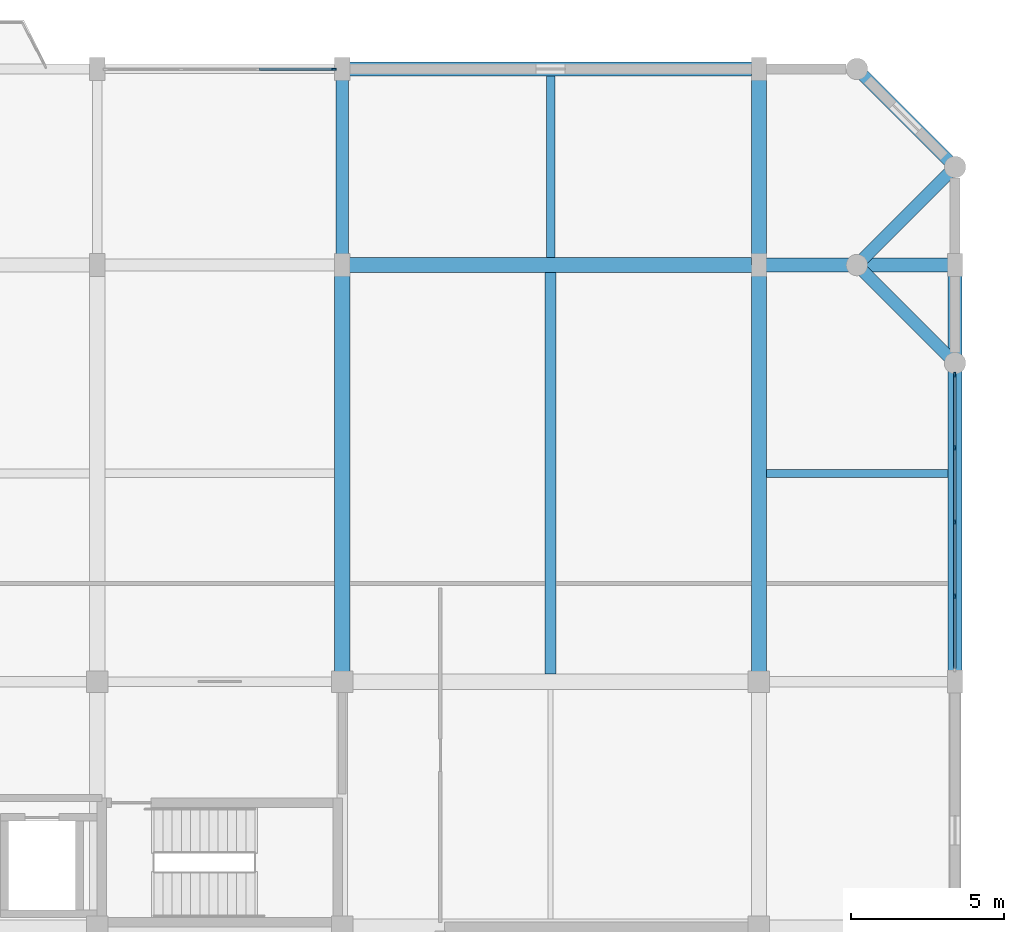
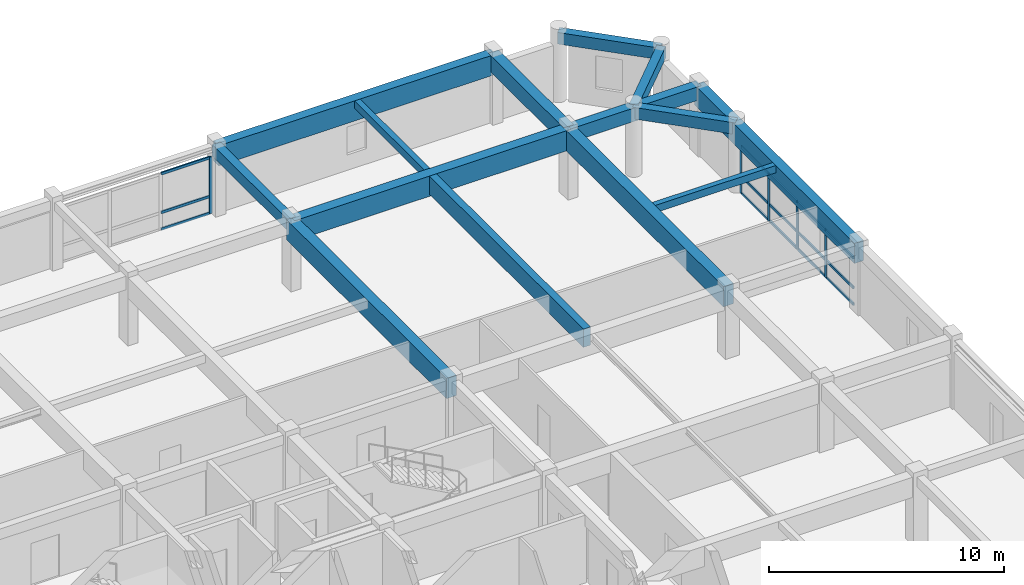
# One storey, part 7 of 13: 20 members, 14 beams, 2 elements without a shape of their own.
"""IFC4 building model written with IfcOpenShell, lengths in metres."""

from ifc_helpers import new_model, si_unit, direction, frame, origin, origin_2d, place, context, subcontext, project, spatial, rectangle, extrude, material, material_profile, profile_set, type_object, element, aggregate, save


model = new_model("IFC4")

# Units and contexts
model_context = context("Model", 3, precision=1e-05, world=origin(), true_north=direction((0.0, 1.0)))
body_context = subcontext(model_context, "Body", "Model", "MODEL_VIEW")
ifc_project = project(units=[si_unit("LENGTHUNIT", "METRE"), si_unit("AREAUNIT", "SQUARE_METRE"), si_unit("VOLUMEUNIT", "CUBIC_METRE"), si_unit("PLANEANGLEUNIT", "RADIAN"), si_unit("MASSUNIT", "GRAM", prefix="KILO")], contexts=[model_context])

# Site, building, storey
site_placement = place(None, origin())
site = spatial("IfcSite", under=ifc_project, at=site_placement, CompositionType="ELEMENT")
building_placement = place(site_placement, origin())
building = spatial("IfcBuilding", under=site, at=building_placement, Name="Vellmiral Cinema and Media Centre", CompositionType="ELEMENT")
storey_placement = place(building_placement, frame((0.0, 0.0, 39.5)))
storey = spatial("IfcBuildingStorey", under=building, at=storey_placement, Name="L09", CompositionType="ELEMENT", Elevation=39.5)

# Beams
ifc_material_1 = material(Name="Concrete C40/50", Category="concrete")
ifc_material_profile_1 = material_profile(ifc_material_1, rectangle(XDim=0.39990234375, YDim=0.60009765625, at=origin_2d()), Name="RC 400x600")
ifc_profile_set_1 = profile_set([ifc_material_profile_1], Name="Concrete C40/50")
beam_type_1 = type_object("IfcBeamType", Name="BM-RC-400x600", PredefinedType="BEAM", material=ifc_profile_set_1)
beam_1_placement = place(storey_placement, frame((148.0, 108.800048828125, 3.235107421875), z_axis=(0.0, 1.0, 0.0), x_axis=(-1.0, 0.0, 0.0)))
element("IfcBeam", 1, at=beam_1_placement, inside=storey, type_object=beam_type_1, Name="Grid Beam L09-Y071", PredefinedType="BEAM", context=body_context, shape_type="SweptSolid", body=[
    extrude(rectangle(XDim=0.39990234375, YDim=0.60009765625, at=origin_2d()), origin(), (0.0, 0.0, 1.0), 6.39990234375),
])
ifc_material_2 = material(Name="Concrete C40/50", Category="concrete")
ifc_material_profile_2 = material_profile(ifc_material_2, rectangle(XDim=0.449951171875, YDim=0.699951171875, at=origin_2d()), Name="RC 450x700")
ifc_profile_set_2 = profile_set([ifc_material_profile_2], Name="Concrete C40/50")
beam_type_2 = type_object("IfcBeamType", Name="BM-RC-450x700", PredefinedType="BEAM", material=ifc_profile_set_2)
beam_2_placement = place(storey_placement, frame((161.60009765625, 108.800048828125, 3.18505859375), z_axis=(1.0, 0.0, 0.0), x_axis=(0.0, 1.0, 0.0)))
element("IfcBeam", 2, at=beam_2_placement, inside=storey, type_object=beam_type_2, Name="Grid Beam L09-X036", PredefinedType="BEAM", context=body_context, shape_type="SweptSolid", body=[
    extrude(rectangle(XDim=0.449951171875, YDim=0.699951171875, at=origin_2d()), origin(), (0.0, 0.0, 1.0), 6.39990234375),
])
ifc_material_3 = material(Name="Concrete C40/50", Category="concrete")
ifc_material_profile_3 = material_profile(ifc_material_3, rectangle(XDim=0.5, YDim=0.85009765625, at=origin_2d()), Name="RC 500x850")
ifc_profile_set_3 = profile_set([ifc_material_profile_3], Name="Concrete C40/50")
beam_type_3 = type_object("IfcBeamType", Name="BM-RC-500x850", PredefinedType="BEAM", material=ifc_profile_set_3)
beam_3_placement = place(storey_placement, frame((161.60009765625, 108.800048828125, 3.110107421875), z_axis=(0.0, 1.0, 0.0), x_axis=(-1.0, 0.0, 0.0)))
element("IfcBeam", 3, at=beam_3_placement, inside=storey, type_object=beam_type_3, Name="Grid Beam L09-Y077", PredefinedType="BEAM", context=body_context, shape_type="SweptSolid", body=[
    extrude(rectangle(XDim=0.5, YDim=0.85009765625, at=origin_2d()), origin(), (0.0, 0.0, 1.0), 6.39990234375),
])
ifc_material_4 = material(Name="Concrete C40/50", Category="concrete")
ifc_material_profile_4 = material_profile(ifc_material_4, rectangle(XDim=0.5, YDim=1.050048828125, at=origin_2d()), Name="RC 500x1050")
ifc_profile_set_4 = profile_set([ifc_material_profile_4], Name="Concrete C40/50")
beam_type_4 = type_object("IfcBeamType", Name="BM-RCG-500x1050", PredefinedType="BEAM", material=ifc_profile_set_4)
for number, where, z_axis, x_axis, name in (
    (4, (148.0, 108.800048828125, 3.010009765625), (1.0, 0.0, 0.0), (0.0, 1.0, 0.0), "Grid Beam L09-X035"),
    (5, (148.0, 95.199951171875, 3.010009765625), (0.0, 1.0, 0.0), (-1.0, 0.0, 0.0), "Grid Beam L09-Y070"),
    (6, (161.60009765625, 95.199951171875, 3.010009765625), (0.0, 1.0, 0.0), (-1.0, 0.0, 0.0), "Grid Beam L09-Y076"),
):
    element("IfcBeam", number, at=place(storey_placement, frame(where, z_axis=z_axis, x_axis=x_axis)), inside=storey, type_object=beam_type_4, Name=name, PredefinedType="BEAM", context=body_context, shape_type="SweptSolid", body=[
        extrude(rectangle(XDim=0.5, YDim=1.050048828125, at=origin_2d()), origin(), (0.0, 0.0, 1.0), 13.60009765625),
    ])

# Curtain wall, members
ifc_material_5 = material(Name="Thermally Broken Aluminium and Triple Glazing", Category="aluminium")
curtain_wall_type_1 = type_object("IfcCurtainWallType", Name="CW-TOWER-MID-E", PredefinedType="USERDEFINED", material=ifc_material_5)
curtain_wall_1_placement = place(storey_placement, origin())
curtain_wall_1 = element("IfcCurtainWall", 7, at=curtain_wall_1_placement, inside=storey, type_object=curtain_wall_type_1, Name="Curtain Wall L09-B012", ObjectType="UNITISED CURTAIN WALL", PredefinedType="USERDEFINED")
ifc_material_6 = material(Name="Thermally Broken Anodised Aluminium", Category="aluminium")
ifc_material_profile_5 = material_profile(ifc_material_6, rectangle(XDim=0.06494140625, YDim=0.159912109375, at=origin_2d()), Name="MULL 65x160")
ifc_profile_set_5 = profile_set([ifc_material_profile_5], Name="Thermally Broken Anodised Aluminium")
member_type_1 = type_object("IfcMemberType", Name="CWM-65x160", PredefinedType="MULLION", material=ifc_profile_set_5)
member_1_placement = place(storey_placement, frame((168.0, 97.99365234375, 0.0), z_axis=(0.0, 0.0, 1.0), x_axis=(-1.0, 0.0, 0.0)))
member_1 = element("IfcMember", 8, at=member_1_placement, type_object=member_type_1, Name="CW-07 mullion 2", PredefinedType="MULLION", context=body_context, shape_type="SweptSolid", body=[
    extrude(rectangle(XDim=0.06494140625, YDim=0.159912109375, at=origin_2d()), origin(), (0.0, 0.0, 1.0), 2.47509765625),
])
member_2_placement = place(storey_placement, frame((168.0, 100.41259765625, 0.0), z_axis=(0.0, 0.0, 1.0), x_axis=(-1.0, 0.0, 0.0)))
member_2 = element("IfcMember", 9, at=member_2_placement, type_object=member_type_1, Name="CW-07 mullion 3", PredefinedType="MULLION", context=body_context, shape_type="SweptSolid", body=[
    extrude(rectangle(XDim=0.06494140625, YDim=0.159912109375, at=origin_2d()), origin(), (0.0, 0.0, 1.0), 2.47509765625),
])
member_3_placement = place(storey_placement, frame((168.0, 102.831298828125, 0.0), z_axis=(0.0, 0.0, 1.0), x_axis=(-1.0, 0.0, 0.0)))
member_3 = element("IfcMember", 10, at=member_3_placement, type_object=member_type_1, Name="CW-07 mullion 4", PredefinedType="MULLION", context=body_context, shape_type="SweptSolid", body=[
    extrude(rectangle(XDim=0.06494140625, YDim=0.159912109375, at=origin_2d()), origin(), (0.0, 0.0, 1.0), 2.47509765625),
])
member_4_placement = place(storey_placement, frame((168.0, 105.217529296875, 0.0), z_axis=(0.0, 0.0, 1.0), x_axis=(-1.0, 0.0, 0.0)))
member_4 = element("IfcMember", 11, at=member_4_placement, type_object=member_type_1, Name="CW-07 mullion 5", PredefinedType="MULLION", context=body_context, shape_type="SweptSolid", body=[
    extrude(rectangle(XDim=0.06494140625, YDim=0.159912109375, at=origin_2d()), origin(), (0.0, 0.0, 1.0), 2.47509765625),
])

# Curtain wall, member
ifc_material_7 = material(Name="Thermally Broken Aluminium and Triple Glazing", Category="aluminium")
curtain_wall_type_2 = type_object("IfcCurtainWallType", Name="CW-TOWER-MID-W", PredefinedType="USERDEFINED", material=ifc_material_7)
curtain_wall_2_placement = place(storey_placement, origin())
curtain_wall_2 = element("IfcCurtainWall", 12, at=curtain_wall_2_placement, inside=storey, type_object=curtain_wall_type_2, Name="Curtain Wall L09-B018", ObjectType="UNITISED CURTAIN WALL", PredefinedType="USERDEFINED")
member_5_placement = place(storey_placement, frame((147.717529296875, 115.199951171875, 0.0), z_axis=(0.0, 0.0, 1.0), x_axis=(0.0, -1.0, 0.0)))
member_5 = element("IfcMember", 13, at=member_5_placement, type_object=member_type_1, Name="CW-08 mullion 1", PredefinedType="MULLION", context=body_context, shape_type="SweptSolid", body=[
    extrude(rectangle(XDim=0.06494140625, YDim=0.159912109375, at=origin_2d()), origin(), (0.0, 0.0, 1.0), 2.93994140625),
])

# Member
ifc_material_8 = material(Name="Thermally Broken Anodised Aluminium", Category="aluminium")
ifc_material_profile_6 = material_profile(ifc_material_8, rectangle(XDim=0.06494140625, YDim=0.135009765625, at=origin_2d()), Name="MULL 65x135")
ifc_profile_set_6 = profile_set([ifc_material_profile_6], Name="Thermally Broken Anodised Aluminium")
member_type_2 = type_object("IfcMemberType", Name="CWT-65x135", PredefinedType="USERDEFINED", material=ifc_profile_set_6)
member_6_placement = place(storey_placement, frame((168.0, 95.639892578125, 0.032470703125), z_axis=(0.0, 1.0, 0.0), x_axis=(-1.0, 0.0, 0.0)))
member_6 = element("IfcMember", 14, at=member_6_placement, type_object=member_type_2, Name="CW-07 transom 1.1", ObjectType="TRANSOM", PredefinedType="USERDEFINED", context=body_context, shape_type="SweptSolid", body=[
    extrude(rectangle(XDim=0.06494140625, YDim=0.135009765625, at=origin_2d()), origin(), (0.0, 0.0, 1.0), 2.3212890625),
])

member_7_placement = place(storey_placement, frame((168.0, 95.639892578125, 0.89990234375), z_axis=(0.0, 1.0, 0.0), x_axis=(-1.0, 0.0, 0.0)))
member_7 = element("IfcMember", 15, at=member_7_placement, type_object=member_type_2, Name="CW-07 transom 1.2", ObjectType="TRANSOM", PredefinedType="USERDEFINED", context=body_context, shape_type="SweptSolid", body=[
    extrude(rectangle(XDim=0.06494140625, YDim=0.135009765625, at=origin_2d()), origin(), (0.0, 0.0, 1.0), 2.3212890625),
])

member_8_placement = place(storey_placement, frame((168.0, 95.639892578125, 2.4423828125), z_axis=(0.0, 1.0, 0.0), x_axis=(-1.0, 0.0, 0.0)))
member_8 = element("IfcMember", 16, at=member_8_placement, type_object=member_type_2, Name="CW-07 transom 1.3", ObjectType="TRANSOM", PredefinedType="USERDEFINED", context=body_context, shape_type="SweptSolid", body=[
    extrude(rectangle(XDim=0.06494140625, YDim=0.135009765625, at=origin_2d()), origin(), (0.0, 0.0, 1.0), 2.3212890625),
])

member_9_placement = place(storey_placement, frame((168.0, 98.0263671875, 0.032470703125), z_axis=(0.0, 1.0, 0.0), x_axis=(-1.0, 0.0, 0.0)))
member_9 = element("IfcMember", 17, at=member_9_placement, type_object=member_type_2, Name="CW-07 transom 2.1", ObjectType="TRANSOM", PredefinedType="USERDEFINED", context=body_context, shape_type="SweptSolid", body=[
    extrude(rectangle(XDim=0.06494140625, YDim=0.135009765625, at=origin_2d()), origin(), (0.0, 0.0, 1.0), 2.353515625),
])

member_10_placement = place(storey_placement, frame((168.0, 98.0263671875, 0.89990234375), z_axis=(0.0, 1.0, 0.0), x_axis=(-1.0, 0.0, 0.0)))
member_10 = element("IfcMember", 18, at=member_10_placement, type_object=member_type_2, Name="CW-07 transom 2.2", ObjectType="TRANSOM", PredefinedType="USERDEFINED", context=body_context, shape_type="SweptSolid", body=[
    extrude(rectangle(XDim=0.06494140625, YDim=0.135009765625, at=origin_2d()), origin(), (0.0, 0.0, 1.0), 2.353515625),
])

member_11_placement = place(storey_placement, frame((168.0, 98.0263671875, 2.4423828125), z_axis=(0.0, 1.0, 0.0), x_axis=(-1.0, 0.0, 0.0)))
member_11 = element("IfcMember", 19, at=member_11_placement, type_object=member_type_2, Name="CW-07 transom 2.3", ObjectType="TRANSOM", PredefinedType="USERDEFINED", context=body_context, shape_type="SweptSolid", body=[
    extrude(rectangle(XDim=0.06494140625, YDim=0.135009765625, at=origin_2d()), origin(), (0.0, 0.0, 1.0), 2.353515625),
])

member_12_placement = place(storey_placement, frame((168.0, 100.445068359375, 0.032470703125), z_axis=(0.0, 1.0, 0.0), x_axis=(-1.0, 0.0, 0.0)))
member_12 = element("IfcMember", 20, at=member_12_placement, type_object=member_type_2, Name="CW-07 transom 3.1", ObjectType="TRANSOM", PredefinedType="USERDEFINED", context=body_context, shape_type="SweptSolid", body=[
    extrude(rectangle(XDim=0.06494140625, YDim=0.135009765625, at=origin_2d()), origin(), (0.0, 0.0, 1.0), 2.353759765625),
])

member_13_placement = place(storey_placement, frame((168.0, 100.445068359375, 0.89990234375), z_axis=(0.0, 1.0, 0.0), x_axis=(-1.0, 0.0, 0.0)))
member_13 = element("IfcMember", 21, at=member_13_placement, type_object=member_type_2, Name="CW-07 transom 3.2", ObjectType="TRANSOM", PredefinedType="USERDEFINED", context=body_context, shape_type="SweptSolid", body=[
    extrude(rectangle(XDim=0.06494140625, YDim=0.135009765625, at=origin_2d()), origin(), (0.0, 0.0, 1.0), 2.353759765625),
])

member_14_placement = place(storey_placement, frame((168.0, 100.445068359375, 2.4423828125), z_axis=(0.0, 1.0, 0.0), x_axis=(-1.0, 0.0, 0.0)))
member_14 = element("IfcMember", 22, at=member_14_placement, type_object=member_type_2, Name="CW-07 transom 3.3", ObjectType="TRANSOM", PredefinedType="USERDEFINED", context=body_context, shape_type="SweptSolid", body=[
    extrude(rectangle(XDim=0.06494140625, YDim=0.135009765625, at=origin_2d()), origin(), (0.0, 0.0, 1.0), 2.353759765625),
])

member_15_placement = place(storey_placement, frame((168.0, 102.86376953125, 0.032470703125), z_axis=(0.0, 1.0, 0.0), x_axis=(-1.0, 0.0, 0.0)))
member_15 = element("IfcMember", 23, at=member_15_placement, type_object=member_type_2, Name="CW-07 transom 4.1", ObjectType="TRANSOM", PredefinedType="USERDEFINED", context=body_context, shape_type="SweptSolid", body=[
    extrude(rectangle(XDim=0.06494140625, YDim=0.135009765625, at=origin_2d()), origin(), (0.0, 0.0, 1.0), 2.3212890625),
])

member_16_placement = place(storey_placement, frame((168.0, 102.86376953125, 0.89990234375), z_axis=(0.0, 1.0, 0.0), x_axis=(-1.0, 0.0, 0.0)))
member_16 = element("IfcMember", 24, at=member_16_placement, type_object=member_type_2, Name="CW-07 transom 4.2", ObjectType="TRANSOM", PredefinedType="USERDEFINED", context=body_context, shape_type="SweptSolid", body=[
    extrude(rectangle(XDim=0.06494140625, YDim=0.135009765625, at=origin_2d()), origin(), (0.0, 0.0, 1.0), 2.3212890625),
])

member_17_placement = place(storey_placement, frame((168.0, 102.86376953125, 2.4423828125), z_axis=(0.0, 1.0, 0.0), x_axis=(-1.0, 0.0, 0.0)))
member_17 = element("IfcMember", 25, at=member_17_placement, type_object=member_type_2, Name="CW-07 transom 4.3", ObjectType="TRANSOM", PredefinedType="USERDEFINED", context=body_context, shape_type="SweptSolid", body=[
    extrude(rectangle(XDim=0.06494140625, YDim=0.135009765625, at=origin_2d()), origin(), (0.0, 0.0, 1.0), 2.3212890625),
])

aggregate(curtain_wall_1, [member_1, member_2, member_3, member_4, member_6, member_7, member_8, member_9, member_10, member_11, member_12, member_13, member_14, member_15, member_16, member_17])

member_18_placement = place(storey_placement, frame((147.68505859375, 115.199951171875, 0.032470703125), z_axis=(-1.0, 0.0, 0.0), x_axis=(0.0, -1.0, 0.0)))
member_18 = element("IfcMember", 26, at=member_18_placement, type_object=member_type_2, Name="CW-08 transom 1.1", ObjectType="TRANSOM", PredefinedType="USERDEFINED", context=body_context, shape_type="SweptSolid", body=[
    extrude(rectangle(XDim=0.06494140625, YDim=0.135009765625, at=origin_2d()), origin(), (0.0, 0.0, 1.0), 2.402587890625),
])

member_19_placement = place(storey_placement, frame((147.68505859375, 115.199951171875, 0.89990234375), z_axis=(-1.0, 0.0, 0.0), x_axis=(0.0, -1.0, 0.0)))
member_19 = element("IfcMember", 27, at=member_19_placement, type_object=member_type_2, Name="CW-08 transom 1.2", ObjectType="TRANSOM", PredefinedType="USERDEFINED", context=body_context, shape_type="SweptSolid", body=[
    extrude(rectangle(XDim=0.06494140625, YDim=0.135009765625, at=origin_2d()), origin(), (0.0, 0.0, 1.0), 2.402587890625),
])

member_20_placement = place(storey_placement, frame((147.68505859375, 115.199951171875, 2.907470703125), z_axis=(-1.0, 0.0, 0.0), x_axis=(0.0, -1.0, 0.0)))
member_20 = element("IfcMember", 28, at=member_20_placement, type_object=member_type_2, Name="CW-08 transom 1.3", ObjectType="TRANSOM", PredefinedType="USERDEFINED", context=body_context, shape_type="SweptSolid", body=[
    extrude(rectangle(XDim=0.06494140625, YDim=0.135009765625, at=origin_2d()), origin(), (0.0, 0.0, 1.0), 2.402587890625),
])

aggregate(curtain_wall_2, [member_5, member_18, member_19, member_20])

# Beams
ifc_material_9 = material(Name="Concrete C40/50", Category="concrete")
ifc_material_profile_7 = material_profile(ifc_material_9, rectangle(XDim=0.260009765625, YDim=0.3798828125, at=origin_2d()), Name="RC 260x380")
ifc_profile_set_7 = profile_set([ifc_material_profile_7], Name="Concrete C40/50")
beam_type_5 = type_object("IfcBeamType", Name="JST-RC-260x380", PredefinedType="JOIST", material=ifc_profile_set_7)
beam_4_placement = place(storey_placement, frame((161.85009765625, 102.0, 3.344970703125), z_axis=(1.0, 0.0, 0.0), x_axis=(0.0, 1.0, 0.0)))
element("IfcBeam", 29, at=beam_4_placement, inside=storey, type_object=beam_type_5, Name="Secondary Floor Joist L09-011", PredefinedType="JOIST", context=body_context, shape_type="SweptSolid", body=[
    extrude(rectangle(XDim=0.260009765625, YDim=0.3798828125, at=origin_2d()), origin(), (0.0, 0.0, 1.0), 5.9248046875),
])
ifc_material_10 = material(Name="Concrete C40/50", Category="concrete")
ifc_material_profile_8 = material_profile(ifc_material_10, rectangle(XDim=0.280029296875, YDim=0.39990234375, at=origin_2d()), Name="RC 280x400")
ifc_profile_set_8 = profile_set([ifc_material_profile_8], Name="Concrete C40/50")
beam_type_6 = type_object("IfcBeamType", Name="JST-RC-280x400", PredefinedType="JOIST", material=ifc_profile_set_8)
beam_5_placement = place(storey_placement, frame((154.800048828125, 109.050048828125, 3.3349609375), z_axis=(0.0, 1.0, 0.0), x_axis=(-1.0, 0.0, 0.0)))
element("IfcBeam", 30, at=beam_5_placement, inside=storey, type_object=beam_type_6, Name="Secondary Floor Joist L09-010", PredefinedType="JOIST", context=body_context, shape_type="SweptSolid", body=[
    extrude(rectangle(XDim=0.280029296875, YDim=0.39990234375, at=origin_2d()), origin(), (0.0, 0.0, 1.0), 5.925048828125),
])
ifc_material_11 = material(Name="Concrete C40/50", Category="concrete")
ifc_material_profile_9 = material_profile(ifc_material_11, rectangle(XDim=0.35009765625, YDim=0.949951171875, at=origin_2d()), Name="RC 350x950")
ifc_profile_set_9 = profile_set([ifc_material_profile_9], Name="Concrete C40/50")
beam_type_7 = type_object("IfcBeamType", Name="JST-RCG-350x950", PredefinedType="JOIST", material=ifc_profile_set_9)
beam_6_placement = place(storey_placement, frame((154.800048828125, 95.449951171875, 3.06005859375), z_axis=(0.0, 1.0, 0.0), x_axis=(-1.0, 0.0, 0.0)))
element("IfcBeam", 31, at=beam_6_placement, inside=storey, type_object=beam_type_7, Name="Secondary Floor Joist L09-009", PredefinedType="JOIST", context=body_context, shape_type="SweptSolid", body=[
    extrude(rectangle(XDim=0.35009765625, YDim=0.949951171875, at=origin_2d()), origin(), (0.0, 0.0, 1.0), 13.10009765625),
])
ifc_material_12 = material(Name="Concrete C40/50", Category="concrete")
ifc_material_profile_10 = material_profile(ifc_material_12, rectangle(XDim=0.39990234375, YDim=0.60009765625, at=origin_2d()), Name="RC 400x600")
ifc_profile_set_10 = profile_set([ifc_material_profile_10], Name="Concrete C40/50")
beam_type_8 = type_object("IfcBeamType", Name="SPD-RC-400x600", PredefinedType="SPANDREL", material=ifc_profile_set_10)
for number, where, z_axis, x_axis, name in (
    (32, (164.800048828125, 108.800048828125, 3.235107421875), (0.707106781187, -0.707106781187, 0.0), (0.707106781187, 0.707106781187, 0.0), "Xamfra Chamfer Spandrel Beam L09-086"),
    (33, (164.800048828125, 108.800048828125, 3.235107421875), (0.707106781187, 0.707106781187, 0.0), (-0.707106781187, 0.707106781187, 0.0), "Xamfra Chamfer Spandrel Beam L09-087"),
    (34, (164.800048828125, 115.199951171875, 3.235107421875), (0.707106781187, -0.707106781187, 0.0), (0.707106781187, 0.707106781187, 0.0), "Xamfra Chamfer Spandrel Beam L09-088"),
):
    element("IfcBeam", number, at=place(storey_placement, frame(where, z_axis=z_axis, x_axis=x_axis)), inside=storey, type_object=beam_type_8, Name=name, PredefinedType="SPANDREL", context=body_context, shape_type="SweptSolid", body=[
        extrude(rectangle(XDim=0.39990234375, YDim=0.60009765625, at=origin_2d()), origin(), (0.0, 0.0, 1.0), 4.525390625),
    ])
ifc_material_13 = material(Name="Concrete C40/50", Category="concrete")
ifc_material_profile_11 = material_profile(ifc_material_13, rectangle(XDim=0.449951171875, YDim=1.050048828125, at=origin_2d()), Name="RC 450x1050")
ifc_profile_set_11 = profile_set([ifc_material_profile_11], Name="Concrete C40/50")
beam_type_9 = type_object("IfcBeamType", Name="SPD-RCG-450x1050", PredefinedType="SPANDREL", material=ifc_profile_set_11)
for number, where, z_axis, x_axis, name in (
    (35, (148.0, 115.199951171875, 3.010009765625), (1.0, 0.0, 0.0), (0.0, 1.0, 0.0), "Grid Beam L09-X041"),
    (36, (168.0, 95.199951171875, 3.010009765625), (0.0, 1.0, 0.0), (-1.0, 0.0, 0.0), "Grid Beam L09-Y082"),
):
    element("IfcBeam", number, at=place(storey_placement, frame(where, z_axis=z_axis, x_axis=x_axis)), inside=storey, type_object=beam_type_9, Name=name, PredefinedType="SPANDREL", context=body_context, shape_type="SweptSolid", body=[
        extrude(rectangle(XDim=0.449951171875, YDim=1.050048828125, at=origin_2d()), origin(), (0.0, 0.0, 1.0), 13.60009765625),
    ])

save(model, "model.ifc")
